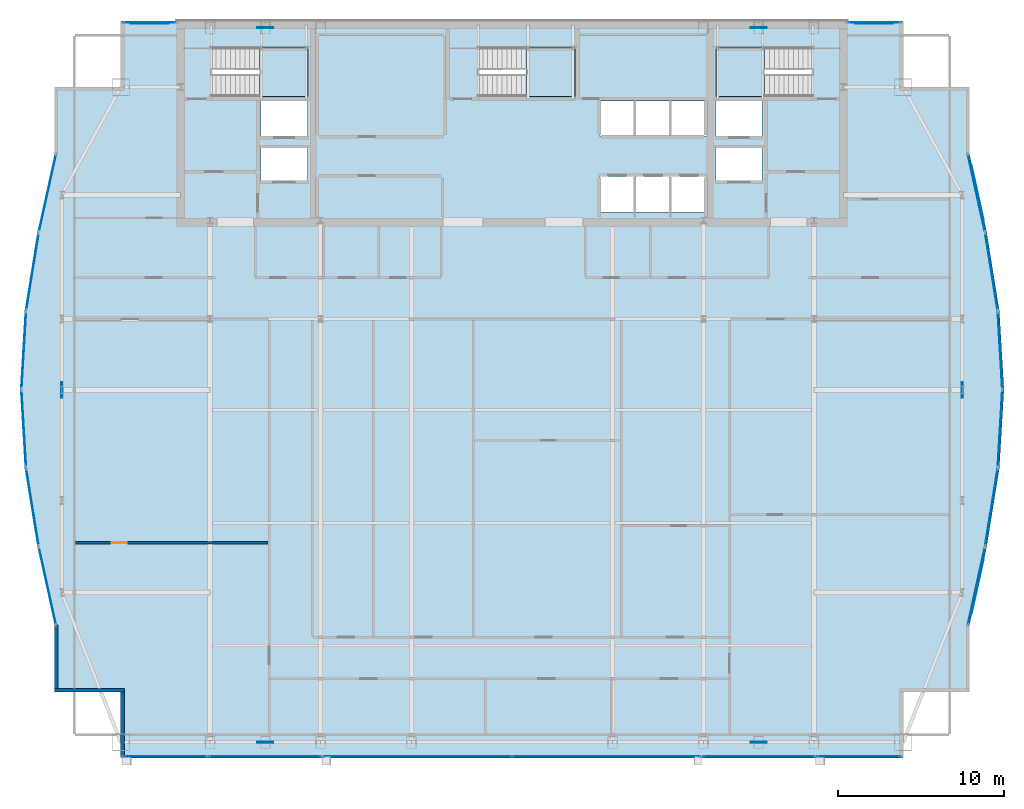
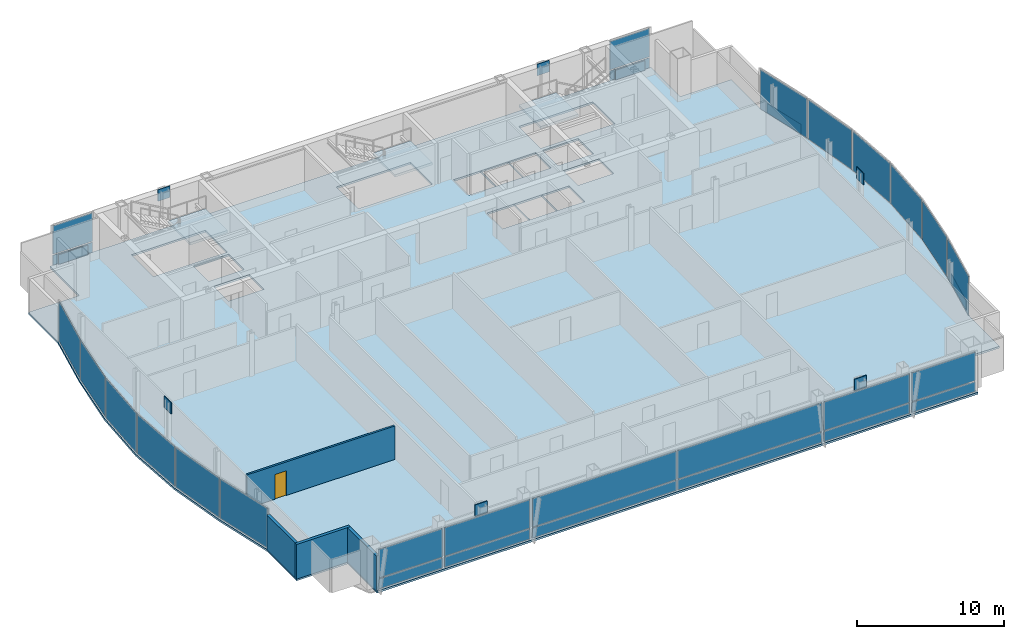
# One storey, part 24 of 30: 38 plates, 4 slabs, 4 walls, 1 door, 1 opening, 22 elements without a shape of their own.
"""IFC4 building model written with IfcOpenShell, lengths in metres."""

from ifc_helpers import new_model, si_unit, direction, frame, frame_2d, origin, origin_2d, place, context, subcontext, project, spatial, polyline, rectangle, outline, extrude, material, layer, layer_set, type_object, element, fill, aggregate, save


model = new_model("IFC4")

# Units and contexts
model_context = context("Model", 3, precision=1e-05, world=origin(), true_north=direction((0.0, 1.0)))
body_context = subcontext(model_context, "Body", "Model", "MODEL_VIEW")
ifc_project = project(units=[si_unit("LENGTHUNIT", "METRE"), si_unit("AREAUNIT", "SQUARE_METRE"), si_unit("VOLUMEUNIT", "CUBIC_METRE"), si_unit("PLANEANGLEUNIT", "RADIAN"), si_unit("MASSUNIT", "GRAM", prefix="KILO")], contexts=[model_context])

# Site, building, storey
site_placement = place(None, origin())
site = spatial("IfcSite", under=ifc_project, at=site_placement, CompositionType="ELEMENT")
building_placement = place(site_placement, origin())
building = spatial("IfcBuilding", under=site, at=building_placement, Name="Khoronbel Lancet Exchange", CompositionType="ELEMENT")
storey_placement = place(building_placement, frame((0.0, 0.0, 269.800048828125)))
storey = spatial("IfcBuildingStorey", under=building, at=storey_placement, Name="L69", CompositionType="ELEMENT", Elevation=269.800048828125)

# Curtain wall, plate
ifc_material_1 = material(Name="Low-E Solar Control Insulating Glass", Category="glass")
curtain_wall_type_1 = type_object("IfcCurtainWallType", Name="CW-4", PredefinedType="NOTDEFINED", material=ifc_material_1)
curtain_wall_1_placement = place(storey_placement, origin())
curtain_wall_1 = element("IfcCurtainWall", 1, at=curtain_wall_1_placement, inside=storey, type_object=curtain_wall_type_1, Name="Unitised curtain wall CW-L69-E05", PredefinedType="NOTDEFINED")
ifc_material_2 = material(Name="Bronze-Anodised Aluminium 6063-T6", Category="aluminium")
ifc_layer_1 = layer(ifc_material_2, 0.050048828125, Name="Bronze-Anodised Aluminium 6063-T6")
ifc_layer_set_1 = layer_set([ifc_layer_1], Name="Bronze-Anodised Aluminium 6063-T6")
plate_type_1 = type_object("IfcPlateType", Name="PLT-CSP1", PredefinedType="SHEET", material=ifc_layer_set_1)
plate_1_placement = place(storey_placement, frame((7.509033203125, 24.33837890625, 0.0849609375), z_axis=(0.0, 0.0, 1.0), x_axis=(-0.159276285246, 0.98723404771, 0.0)))
plate_1 = element("IfcPlate", 2, at=plate_1_placement, type_object=plate_type_1, Name="CW4 panel 1.1", PredefinedType="CURTAIN_PANEL", context=body_context, shape_type="SweptSolid", body=[
    extrude(rectangle(XDim=4.654296875, YDim=0.0380859375, at=origin_2d()), origin(), (0.0, 0.0, 1.0), 3.27001953125),
])
aggregate(curtain_wall_1, [plate_1])

curtain_wall_2_placement = place(storey_placement, origin())
curtain_wall_2 = element("IfcCurtainWall", 3, at=curtain_wall_2_placement, inside=storey, type_object=curtain_wall_type_1, Name="Unitised curtain wall CW-L69-E06", PredefinedType="NOTDEFINED")
plate_2_placement = place(storey_placement, frame((6.986328125, 29.079833984375, 0.0849609375), z_axis=(0.0, 0.0, 1.0), x_axis=(-0.058945468766, 0.99826120415, 0.0)))
plate_2 = element("IfcPlate", 4, at=plate_2_placement, type_object=plate_type_1, Name="CW4 panel 1.1", PredefinedType="CURTAIN_PANEL", context=body_context, shape_type="SweptSolid", body=[
    extrude(rectangle(XDim=4.598388671875, YDim=0.0380859375, at=origin_2d()), origin(), (0.0, 0.0, 1.0), 3.27001953125),
])
aggregate(curtain_wall_2, [plate_2])

curtain_wall_3_placement = place(storey_placement, origin())
curtain_wall_3 = element("IfcCurtainWall", 5, at=curtain_wall_3_placement, inside=storey, type_object=curtain_wall_type_1, Name="Unitised curtain wall CW-L69-E07", PredefinedType="NOTDEFINED")
plate_3_placement = place(storey_placement, frame((6.986328125, 33.820068359375, 0.0849609375), z_axis=(0.0, 0.0, 1.0), x_axis=(0.058945468766, 0.99826120415, 0.0)))
plate_3 = element("IfcPlate", 6, at=plate_3_placement, type_object=plate_type_1, Name="CW4 panel 1.1", PredefinedType="CURTAIN_PANEL", context=body_context, shape_type="SweptSolid", body=[
    extrude(rectangle(XDim=4.598388671875, YDim=0.0380859375, at=origin_2d()), origin(), (0.0, 0.0, 1.0), 3.27001953125),
])
aggregate(curtain_wall_3, [plate_3])

curtain_wall_4_placement = place(storey_placement, origin())
curtain_wall_4 = element("IfcCurtainWall", 7, at=curtain_wall_4_placement, inside=storey, type_object=curtain_wall_type_1, Name="Unitised curtain wall CW-L69-E08", PredefinedType="NOTDEFINED")
plate_4_placement = place(storey_placement, frame((7.509033203125, 38.561767578125, 0.0849609375), z_axis=(0.0, 0.0, 1.0), x_axis=(0.159276285246, 0.98723404771, 0.0)))
plate_4 = element("IfcPlate", 8, at=plate_4_placement, type_object=plate_type_1, Name="CW4 panel 1.1", PredefinedType="CURTAIN_PANEL", context=body_context, shape_type="SweptSolid", body=[
    extrude(rectangle(XDim=4.654296875, YDim=0.0380859375, at=origin_2d()), origin(), (0.0, 0.0, 1.0), 3.27001953125),
])
aggregate(curtain_wall_4, [plate_4])

curtain_wall_type_2 = type_object("IfcCurtainWallType", Name="CW-3", PredefinedType="NOTDEFINED", material=ifc_material_1)
curtain_wall_5_placement = place(storey_placement, origin())
curtain_wall_5 = element("IfcCurtainWall", 9, at=curtain_wall_5_placement, inside=storey, type_object=curtain_wall_type_2, Name="Unitised curtain wall CW-L69-NWFLK", PredefinedType="NOTDEFINED")
plate_5_placement = place(storey_placement, frame((14.580078125, 53.550048828125, 0.0498046875), z_axis=(0.0, 0.0, 1.0), x_axis=(-1.0, 0.0, 0.0)))
plate_5 = element("IfcPlate", 10, at=plate_5_placement, type_object=plate_type_1, Name="Insulated bronze spandrel cassette CW-L69-NWFLK", PredefinedType="SHEET", context=body_context, shape_type="SweptSolid", body=[
    extrude(rectangle(XDim=2.2958984375, YDim=0.050048828125, at=origin_2d()), origin(), (0.0, 0.0, 1.0), 0.800048828125),
])

curtain_wall_6_placement = place(storey_placement, origin())
curtain_wall_6 = element("IfcCurtainWall", 11, at=curtain_wall_6_placement, inside=storey, type_object=curtain_wall_type_2, Name="Unitised curtain wall CW-L69-NEFLK", PredefinedType="NOTDEFINED")
plate_6_placement = place(storey_placement, frame((58.320068359375, 53.550048828125, 0.0498046875), z_axis=(0.0, 0.0, 1.0), x_axis=(-1.0, 0.0, 0.0)))
plate_6 = element("IfcPlate", 12, at=plate_6_placement, type_object=plate_type_1, Name="Insulated bronze spandrel cassette CW-L69-NEFLK", PredefinedType="SHEET", context=body_context, shape_type="SweptSolid", body=[
    extrude(rectangle(XDim=2.2958984375, YDim=0.050048828125, at=origin_2d()), origin(), (0.0, 0.0, 1.0), 0.800048828125),
])

curtain_wall_7_placement = place(storey_placement, origin())
curtain_wall_7 = element("IfcCurtainWall", 13, at=curtain_wall_7_placement, inside=storey, type_object=curtain_wall_type_1, Name="Unitised curtain wall CW-L69-E17", PredefinedType="NOTDEFINED")
plate_7_placement = place(storey_placement, frame((64.542724609375, 43.32470703125, 0.0498046875), z_axis=(0.0, 0.0, 1.0), x_axis=(0.21522166446, -0.976565223192, 0.0)))
plate_7 = element("IfcPlate", 14, at=plate_7_placement, type_object=plate_type_1, Name="Insulated bronze spandrel cassette CW-L69-E17", PredefinedType="SHEET", context=body_context, shape_type="SweptSolid", body=[
    extrude(rectangle(XDim=3.409912109375, YDim=0.050048828125, at=origin_2d()), origin(), (0.0, 0.0, 1.0), 0.800048828125),
])

curtain_wall_8_placement = place(storey_placement, origin())
curtain_wall_8 = element("IfcCurtainWall", 15, at=curtain_wall_8_placement, inside=storey, type_object=curtain_wall_type_1, Name="Unitised curtain wall CW-L69-E18", PredefinedType="NOTDEFINED")
plate_8_placement = place(storey_placement, frame((65.39111328125, 38.561767578125, 0.0849609375), z_axis=(0.0, 0.0, 1.0), x_axis=(0.159276285246, -0.98723404771, 0.0)))
plate_8 = element("IfcPlate", 16, at=plate_8_placement, type_object=plate_type_1, Name="CW4 panel 1.1", PredefinedType="CURTAIN_PANEL", context=body_context, shape_type="SweptSolid", body=[
    extrude(rectangle(XDim=4.654296875, YDim=0.0380859375, at=origin_2d()), origin(), (0.0, 0.0, 1.0), 3.27001953125),
])
aggregate(curtain_wall_8, [plate_8])

curtain_wall_9_placement = place(storey_placement, origin())
curtain_wall_9 = element("IfcCurtainWall", 17, at=curtain_wall_9_placement, inside=storey, type_object=curtain_wall_type_1, Name="Unitised curtain wall CW-L69-E19", PredefinedType="NOTDEFINED")
plate_9_placement = place(storey_placement, frame((65.91357421875, 33.820068359375, 0.0849609375), z_axis=(0.0, 0.0, 1.0), x_axis=(0.058945468766, -0.99826120415, 0.0)))
plate_9 = element("IfcPlate", 18, at=plate_9_placement, type_object=plate_type_1, Name="CW4 panel 1.1", PredefinedType="CURTAIN_PANEL", context=body_context, shape_type="SweptSolid", body=[
    extrude(rectangle(XDim=4.598388671875, YDim=0.0380859375, at=origin_2d()), origin(), (0.0, 0.0, 1.0), 3.27001953125),
])
aggregate(curtain_wall_9, [plate_9])

curtain_wall_10_placement = place(storey_placement, origin())
curtain_wall_10 = element("IfcCurtainWall", 19, at=curtain_wall_10_placement, inside=storey, type_object=curtain_wall_type_1, Name="Unitised curtain wall CW-L69-E20", PredefinedType="NOTDEFINED")
plate_10_placement = place(storey_placement, frame((65.91357421875, 29.079833984375, 0.0849609375), z_axis=(0.0, 0.0, 1.0), x_axis=(-0.058945468766, -0.99826120415, 0.0)))
plate_10 = element("IfcPlate", 20, at=plate_10_placement, type_object=plate_type_1, Name="CW4 panel 1.1", PredefinedType="CURTAIN_PANEL", context=body_context, shape_type="SweptSolid", body=[
    extrude(rectangle(XDim=4.598388671875, YDim=0.0380859375, at=origin_2d()), origin(), (0.0, 0.0, 1.0), 3.27001953125),
])
aggregate(curtain_wall_10, [plate_10])

curtain_wall_11_placement = place(storey_placement, origin())
curtain_wall_11 = element("IfcCurtainWall", 21, at=curtain_wall_11_placement, inside=storey, type_object=curtain_wall_type_1, Name="Unitised curtain wall CW-L69-E21", PredefinedType="NOTDEFINED")
plate_11_placement = place(storey_placement, frame((65.39111328125, 24.33837890625, 0.0849609375), z_axis=(0.0, 0.0, 1.0), x_axis=(-0.159276285246, -0.98723404771, 0.0)))
plate_11 = element("IfcPlate", 22, at=plate_11_placement, type_object=plate_type_1, Name="CW4 panel 1.1", PredefinedType="CURTAIN_PANEL", context=body_context, shape_type="SweptSolid", body=[
    extrude(rectangle(XDim=4.654296875, YDim=0.0380859375, at=origin_2d()), origin(), (0.0, 0.0, 1.0), 3.27001953125),
])
aggregate(curtain_wall_11, [plate_11])

curtain_wall_12_placement = place(storey_placement, origin())
curtain_wall_12 = element("IfcCurtainWall", 23, at=curtain_wall_12_placement, inside=storey, type_object=curtain_wall_type_1, Name="Unitised curtain wall CW-L69-E22", PredefinedType="NOTDEFINED")
plate_12_placement = place(storey_placement, frame((64.542724609375, 19.575439453125, 0.0498046875), z_axis=(0.0, 0.0, 1.0), x_axis=(-0.21522166446, -0.976565223192, 0.0)))
plate_12 = element("IfcPlate", 24, at=plate_12_placement, type_object=plate_type_1, Name="Insulated bronze spandrel cassette CW-L69-E22", PredefinedType="SHEET", context=body_context, shape_type="SweptSolid", body=[
    extrude(rectangle(XDim=3.409912109375, YDim=0.050048828125, at=origin_2d()), origin(), (0.0, 0.0, 1.0), 0.800048828125),
])

# Curtain wall, plates
curtain_wall_13_placement = place(storey_placement, origin())
curtain_wall_13 = element("IfcCurtainWall", 25, at=curtain_wall_13_placement, inside=storey, type_object=curtain_wall_type_2, Name="Unitised curtain wall CW-L69-SWB", PredefinedType="NOTDEFINED")
plate_13_placement = place(storey_placement, frame((21.550048828125, 9.2900390625, 0.0849609375), z_axis=(0.0, 0.0, 1.0), x_axis=(1.0, 0.0, 0.0)))
plate_13 = element("IfcPlate", 26, at=plate_13_placement, type_object=plate_type_1, Name="CW3 panel 1.1", PredefinedType="CURTAIN_PANEL", context=body_context, shape_type="SweptSolid", body=[
    extrude(rectangle(XDim=6.72998046875, YDim=0.0380859375, at=origin_2d()), origin(), (0.0, 0.0, 1.0), 0.822509765625),
])
plate_14_placement = place(storey_placement, frame((21.550048828125, 9.2900390625, 0.9921875), z_axis=(0.0, 0.0, 1.0), x_axis=(1.0, 0.0, 0.0)))
plate_14 = element("IfcPlate", 27, at=plate_14_placement, type_object=plate_type_1, Name="CW3 panel 1.2", PredefinedType="CURTAIN_PANEL", context=body_context, shape_type="SweptSolid", body=[
    extrude(rectangle(XDim=6.72998046875, YDim=0.0380859375, at=origin_2d()), origin(), (0.0, 0.0, 1.0), 2.362548828125),
])
aggregate(curtain_wall_13, [plate_13, plate_14])

curtain_wall_14_placement = place(storey_placement, origin())
curtain_wall_14 = element("IfcCurtainWall", 28, at=curtain_wall_14_placement, inside=storey, type_object=curtain_wall_type_2, Name="Unitised curtain wall CW-L69-SEB", PredefinedType="NOTDEFINED")
plate_15_placement = place(storey_placement, frame((51.35009765625, 9.2900390625, 0.0849609375), z_axis=(0.0, 0.0, 1.0), x_axis=(1.0, 0.0, 0.0)))
plate_15 = element("IfcPlate", 29, at=plate_15_placement, type_object=plate_type_1, Name="CW3 panel 1.1", PredefinedType="CURTAIN_PANEL", context=body_context, shape_type="SweptSolid", body=[
    extrude(rectangle(XDim=6.72998046875, YDim=0.0380859375, at=origin_2d()), origin(), (0.0, 0.0, 1.0), 0.822509765625),
])
plate_16_placement = place(storey_placement, frame((51.35009765625, 9.2900390625, 0.9921875), z_axis=(0.0, 0.0, 1.0), x_axis=(1.0, 0.0, 0.0)))
plate_16 = element("IfcPlate", 30, at=plate_16_placement, type_object=plate_type_1, Name="CW3 panel 1.2", PredefinedType="CURTAIN_PANEL", context=body_context, shape_type="SweptSolid", body=[
    extrude(rectangle(XDim=6.72998046875, YDim=0.0380859375, at=origin_2d()), origin(), (0.0, 0.0, 1.0), 2.362548828125),
])
aggregate(curtain_wall_14, [plate_15, plate_16])

# Plate
ifc_layer_2 = layer(ifc_material_1, 0.035888671875, Name="Low-E Solar Control Insulating Glass")
ifc_layer_set_2 = layer_set([ifc_layer_2], Name="Low-E Solar Control Insulating Glass")
plate_type_2 = type_object("IfcPlateType", Name="PLT-CWP1", PredefinedType="CURTAIN_PANEL", material=ifc_layer_set_2)
plate_17_placement = place(storey_placement, frame((14.580078125, 53.610107421875, 0.0849609375), z_axis=(0.0, 0.0, 1.0), x_axis=(-1.0, 0.0, 0.0)))
plate_17 = element("IfcPlate", 31, at=plate_17_placement, type_object=plate_type_2, Name="CW3 panel 1.1", PredefinedType="CURTAIN_PANEL", context=body_context, shape_type="SweptSolid", body=[
    extrude(rectangle(XDim=3.110107421875, YDim=0.0380859375, at=origin_2d()), origin(), (0.0, 0.0, 1.0), 0.822509765625),
])

plate_18_placement = place(storey_placement, frame((14.580078125, 53.610107421875, 0.9921875), z_axis=(0.0, 0.0, 1.0), x_axis=(-1.0, 0.0, 0.0)))
plate_18 = element("IfcPlate", 32, at=plate_18_placement, type_object=plate_type_2, Name="CW3 panel 1.2", PredefinedType="CURTAIN_PANEL", context=body_context, shape_type="SweptSolid", body=[
    extrude(rectangle(XDim=3.110107421875, YDim=0.0380859375, at=origin_2d()), origin(), (0.0, 0.0, 1.0), 2.362548828125),
])

aggregate(curtain_wall_5, [plate_17, plate_18, plate_5])

plate_19_placement = place(storey_placement, frame((58.320068359375, 53.610107421875, 0.0849609375), z_axis=(0.0, 0.0, 1.0), x_axis=(-1.0, 0.0, 0.0)))
plate_19 = element("IfcPlate", 33, at=plate_19_placement, type_object=plate_type_2, Name="CW3 panel 1.1", PredefinedType="CURTAIN_PANEL", context=body_context, shape_type="SweptSolid", body=[
    extrude(rectangle(XDim=3.110107421875, YDim=0.0380859375, at=origin_2d()), origin(), (0.0, 0.0, 1.0), 0.822509765625),
])

plate_20_placement = place(storey_placement, frame((58.320068359375, 53.610107421875, 0.9921875), z_axis=(0.0, 0.0, 1.0), x_axis=(-1.0, 0.0, 0.0)))
plate_20 = element("IfcPlate", 34, at=plate_20_placement, type_object=plate_type_2, Name="CW3 panel 1.2", PredefinedType="CURTAIN_PANEL", context=body_context, shape_type="SweptSolid", body=[
    extrude(rectangle(XDim=3.110107421875, YDim=0.0380859375, at=origin_2d()), origin(), (0.0, 0.0, 1.0), 2.362548828125),
])

aggregate(curtain_wall_6, [plate_19, plate_20, plate_6])

# Curtain wall, plates
curtain_wall_15_placement = place(storey_placement, origin())
curtain_wall_15 = element("IfcCurtainWall", 35, at=curtain_wall_15_placement, inside=storey, type_object=curtain_wall_type_2, Name="Unitised curtain wall CW-L69-SWV", PredefinedType="NOTDEFINED")
plate_21_placement = place(storey_placement, frame((15.52001953125, 9.2900390625, 0.0849609375), z_axis=(0.0, 0.0, 1.0), x_axis=(1.0, 0.0, 0.0)))
plate_21 = element("IfcPlate", 36, at=plate_21_placement, type_object=plate_type_2, Name="CW3 panel 1.1", PredefinedType="CURTAIN_PANEL", context=body_context, shape_type="SweptSolid", body=[
    extrude(rectangle(XDim=4.989990234375, YDim=0.0380859375, at=origin_2d()), origin(), (0.0, 0.0, 1.0), 0.822509765625),
])
plate_22_placement = place(storey_placement, frame((15.52001953125, 9.2900390625, 0.9921875), z_axis=(0.0, 0.0, 1.0), x_axis=(1.0, 0.0, 0.0)))
plate_22 = element("IfcPlate", 37, at=plate_22_placement, type_object=plate_type_2, Name="CW3 panel 1.2", PredefinedType="CURTAIN_PANEL", context=body_context, shape_type="SweptSolid", body=[
    extrude(rectangle(XDim=4.989990234375, YDim=0.0380859375, at=origin_2d()), origin(), (0.0, 0.0, 1.0), 2.362548828125),
])
aggregate(curtain_wall_15, [plate_21, plate_22])

curtain_wall_16_placement = place(storey_placement, origin())
curtain_wall_16 = element("IfcCurtainWall", 38, at=curtain_wall_16_placement, inside=storey, type_object=curtain_wall_type_2, Name="Unitised curtain wall CW-L69-SCV", PredefinedType="NOTDEFINED")
plate_23_placement = place(storey_placement, frame((30.746337890625, 9.2900390625, 0.0849609375), z_axis=(0.0, 0.0, 1.0), x_axis=(1.0, 0.0, 0.0)))
plate_23 = element("IfcPlate", 39, at=plate_23_placement, type_object=plate_type_2, Name="CW3 panel 1.1", PredefinedType="CURTAIN_PANEL", context=body_context, shape_type="SweptSolid", body=[
    extrude(rectangle(XDim=11.322509765625, YDim=0.0380859375, at=origin_2d()), origin(), (0.0, 0.0, 1.0), 0.822509765625),
])
plate_24_placement = place(storey_placement, frame((30.746337890625, 9.2900390625, 0.9921875), z_axis=(0.0, 0.0, 1.0), x_axis=(1.0, 0.0, 0.0)))
plate_24 = element("IfcPlate", 40, at=plate_24_placement, type_object=plate_type_2, Name="CW3 panel 1.2", PredefinedType="CURTAIN_PANEL", context=body_context, shape_type="SweptSolid", body=[
    extrude(rectangle(XDim=11.322509765625, YDim=0.0380859375, at=origin_2d()), origin(), (0.0, 0.0, 1.0), 2.362548828125),
])
plate_25_placement = place(storey_placement, frame((42.15380859375, 9.2900390625, 0.0849609375), z_axis=(0.0, 0.0, 1.0), x_axis=(1.0, 0.0, 0.0)))
plate_25 = element("IfcPlate", 41, at=plate_25_placement, type_object=plate_type_2, Name="CW3 panel 2.1", PredefinedType="CURTAIN_PANEL", context=body_context, shape_type="SweptSolid", body=[
    extrude(rectangle(XDim=11.322509765625, YDim=0.0380859375, at=origin_2d()), origin(), (0.0, 0.0, 1.0), 0.822509765625),
])
plate_26_placement = place(storey_placement, frame((42.15380859375, 9.2900390625, 0.9921875), z_axis=(0.0, 0.0, 1.0), x_axis=(1.0, 0.0, 0.0)))
plate_26 = element("IfcPlate", 42, at=plate_26_placement, type_object=plate_type_2, Name="CW3 panel 2.2", PredefinedType="CURTAIN_PANEL", context=body_context, shape_type="SweptSolid", body=[
    extrude(rectangle(XDim=11.322509765625, YDim=0.0380859375, at=origin_2d()), origin(), (0.0, 0.0, 1.0), 2.362548828125),
])
aggregate(curtain_wall_16, [plate_23, plate_24, plate_25, plate_26])

curtain_wall_17_placement = place(storey_placement, origin())
curtain_wall_17 = element("IfcCurtainWall", 43, at=curtain_wall_17_placement, inside=storey, type_object=curtain_wall_type_2, Name="Unitised curtain wall CW-L69-SEV", PredefinedType="NOTDEFINED")
plate_27_placement = place(storey_placement, frame((57.3798828125, 9.2900390625, 0.0849609375), z_axis=(0.0, 0.0, 1.0), x_axis=(1.0, 0.0, 0.0)))
plate_27 = element("IfcPlate", 44, at=plate_27_placement, type_object=plate_type_2, Name="CW3 panel 1.1", PredefinedType="CURTAIN_PANEL", context=body_context, shape_type="SweptSolid", body=[
    extrude(rectangle(XDim=4.989990234375, YDim=0.0380859375, at=origin_2d()), origin(), (0.0, 0.0, 1.0), 0.822509765625),
])
plate_28_placement = place(storey_placement, frame((57.3798828125, 9.2900390625, 0.9921875), z_axis=(0.0, 0.0, 1.0), x_axis=(1.0, 0.0, 0.0)))
plate_28 = element("IfcPlate", 45, at=plate_28_placement, type_object=plate_type_2, Name="CW3 panel 1.2", PredefinedType="CURTAIN_PANEL", context=body_context, shape_type="SweptSolid", body=[
    extrude(rectangle(XDim=4.989990234375, YDim=0.0380859375, at=origin_2d()), origin(), (0.0, 0.0, 1.0), 2.362548828125),
])
aggregate(curtain_wall_17, [plate_27, plate_28])

# Curtain wall, plate
curtain_wall_18_placement = place(storey_placement, origin())
curtain_wall_18 = element("IfcCurtainWall", 46, at=curtain_wall_18_placement, inside=storey, type_object=curtain_wall_type_1, Name="Unitised curtain wall CW-L69-E04", PredefinedType="NOTDEFINED")
ifc_material_3 = material(Name="Ceramic-Fritted Laminated Insulating Glass", Category="glass")
ifc_layer_3 = layer(ifc_material_3, 0.0419921875, Name="Ceramic-Fritted Laminated Insulating Glass")
ifc_layer_set_3 = layer_set([ifc_layer_3], Name="Ceramic-Fritted Laminated Insulating Glass")
plate_type_3 = type_object("IfcPlateType", Name="PLT-CWP2", PredefinedType="CURTAIN_PANEL", material=ifc_layer_set_3)
plate_29_placement = place(storey_placement, frame((8.415771484375, 19.58837890625, 0.0849609375), z_axis=(0.0, 0.0, 1.0), x_axis=(-0.21522166446, 0.976565223192, 0.0)))
plate_29 = element("IfcPlate", 47, at=plate_29_placement, type_object=plate_type_3, Name="CW4 panel 1.1", PredefinedType="CURTAIN_PANEL", context=body_context, shape_type="SweptSolid", body=[
    extrude(rectangle(XDim=4.72119140625, YDim=0.0380859375, at=origin_2d()), origin(), (0.0, 0.0, 1.0), 3.27001953125),
])
aggregate(curtain_wall_18, [plate_29])

curtain_wall_19_placement = place(storey_placement, origin())
curtain_wall_19 = element("IfcCurtainWall", 48, at=curtain_wall_19_placement, inside=storey, type_object=curtain_wall_type_1, Name="Unitised curtain wall CW-L69-E09", PredefinedType="NOTDEFINED")
plate_30_placement = place(storey_placement, frame((8.415771484375, 43.311767578125, 0.0849609375), z_axis=(0.0, 0.0, 1.0), x_axis=(0.21522166446, 0.976565223192, 0.0)))
plate_30 = element("IfcPlate", 49, at=plate_30_placement, type_object=plate_type_3, Name="CW4 panel 1.1", PredefinedType="CURTAIN_PANEL", context=body_context, shape_type="SweptSolid", body=[
    extrude(rectangle(XDim=4.72119140625, YDim=0.0380859375, at=origin_2d()), origin(), (0.0, 0.0, 1.0), 3.27001953125),
])
aggregate(curtain_wall_19, [plate_30])

# Plate
plate_31_placement = place(storey_placement, frame((64.484130859375, 43.311767578125, 0.0849609375), z_axis=(0.0, 0.0, 1.0), x_axis=(0.21522166446, -0.976565223192, 0.0)))
plate_31 = element("IfcPlate", 50, at=plate_31_placement, type_object=plate_type_3, Name="CW4 panel 1.1", PredefinedType="CURTAIN_PANEL", context=body_context, shape_type="SweptSolid", body=[
    extrude(rectangle(XDim=4.72119140625, YDim=0.0380859375, at=origin_2d()), origin(), (0.0, 0.0, 1.0), 3.27001953125),
])

aggregate(curtain_wall_7, [plate_31, plate_7])

plate_32_placement = place(storey_placement, frame((64.484130859375, 19.58837890625, 0.0849609375), z_axis=(0.0, 0.0, 1.0), x_axis=(-0.21522166446, -0.976565223192, 0.0)))
plate_32 = element("IfcPlate", 51, at=plate_32_placement, type_object=plate_type_3, Name="CW4 panel 1.1", PredefinedType="CURTAIN_PANEL", context=body_context, shape_type="SweptSolid", body=[
    extrude(rectangle(XDim=4.72119140625, YDim=0.0380859375, at=origin_2d()), origin(), (0.0, 0.0, 1.0), 3.27001953125),
])

aggregate(curtain_wall_12, [plate_32, plate_12])

# Plates
ifc_material_4 = material(Name="Steel S460", Category="steel")
ifc_layer_4 = layer(ifc_material_4, 0.06005859375, Name="Steel S460")
ifc_layer_set_4 = layer_set([ifc_layer_4], Name="Steel S460")
plate_type_4 = type_object("IfcPlateType", Name="PLT-ND3", PredefinedType="USERDEFINED", material=ifc_layer_set_4)
for number, where, z_axis, x_axis, name in (
    (52, (21.5625, 10.14990234375, 2.77490234375), (0.0, 0.0, 1.0), (1.0, 0.0, 0.0), "ND3 perimeter brace node gusset T23-S-W"),
    (53, (51.33740234375, 10.14990234375, 2.77490234375), (0.0, 0.0, 1.0), (1.0, 0.0, 0.0), "ND3 perimeter brace node gusset T23-S-E"),
    (54, (21.5625, 53.280029296875, 2.77490234375), (0.0, 0.0, 1.0), (1.0, 0.0, 0.0), "ND3 perimeter brace node gusset T23-N-W"),
    (55, (51.33740234375, 53.280029296875, 2.77490234375), (0.0, 0.0, 1.0), (1.0, 0.0, 0.0), "ND3 perimeter brace node gusset T23-N-E"),
    (56, (9.27001953125, 31.425048828125, 2.77490234375), (0.0, 0.0, 1.0), (0.0, 1.0, 0.0), "ND3 perimeter brace node gusset T23-W-P"),
    (57, (63.6298828125, 31.425048828125, 2.77490234375), (0.0, 0.0, 1.0), (0.0, 1.0, 0.0), "ND3 perimeter brace node gusset T23-E-P"),
):
    element("IfcPlate", number, at=place(storey_placement, frame(where, z_axis=z_axis, x_axis=x_axis)), inside=storey, type_object=plate_type_4, Name=name, ObjectType="GUSSET_PLATE", PredefinedType="USERDEFINED", context=body_context, shape_type="SweptSolid", body=[
        extrude(rectangle(XDim=0.949951171875, YDim=0.06005859375, at=origin_2d()), origin(), (0.0, 0.0, 1.0), 0.949951171875),
    ])

# Slab
ifc_material_5 = material(Name="Concrete C40/50", Category="concrete")
ifc_layer_5 = layer(ifc_material_5, 0.159912109375, Name="Concrete C40/50")
ifc_layer_set_5 = layer_set([ifc_layer_5], Name="Concrete C40/50")
slab_type_1 = type_object("IfcSlabType", Name="SL-FL160", PredefinedType="FLOOR", material=ifc_layer_set_5)
slab_1_placement = place(storey_placement, frame((0.0, 0.0, -0.16015625)))
element("IfcSlab", 58, at=slab_1_placement, inside=storey, type_object=slab_type_1, Name="Level L69 composite structural floor slab", PredefinedType="FLOOR", context=body_context, shape_type="SweptSolid", body=[
    extrude(outline(polyline([(12.85009765625, 9.199951171875), (60.050048828125, 9.199951171875), (60.050048828125, 13.199951171875), (64.050048828125, 13.199951171875), (64.050048828125, 17.199951171875), (65.0966796875, 21.949951171875), (65.86328125, 26.699951171875), (66.143798828125, 31.449951171875), (65.86328125, 36.199951171875), (65.0966796875, 40.949951171875), (64.050048828125, 45.699951171875), (64.050048828125, 49.699951171875), (60.050048828125, 49.699951171875), (60.050048828125, 53.699951171875), (12.85009765625, 53.699951171875), (12.85009765625, 49.699951171875), (8.85009765625, 49.699951171875), (8.85009765625, 45.699951171875), (7.80322265625, 40.949951171875), (7.036865234375, 36.199951171875), (6.75634765625, 31.449951171875), (7.036865234375, 26.699951171875), (7.80322265625, 21.949951171875), (8.85009765625, 17.199951171875), (8.85009765625, 13.199951171875), (12.85009765625, 13.199951171875), (12.85009765625, 9.199951171875)]), holes=[polyline([(18.324951171875, 49.1201171875), (24.14990234375, 49.1201171875), (24.14990234375, 52.10009765625), (18.324951171875, 52.10009765625), (18.324951171875, 49.1201171875)]), polyline([(48.75, 49.1201171875), (54.574951171875, 49.1201171875), (54.574951171875, 52.10009765625), (48.75, 52.10009765625), (48.75, 49.1201171875)]), polyline([(34.425048828125, 49.1201171875), (40.25, 49.1201171875), (40.25, 52.10009765625), (34.425048828125, 52.10009765625), (34.425048828125, 49.1201171875)]), polyline([(41.739990234375, 46.75), (43.8798828125, 46.75), (43.8798828125, 48.85009765625), (41.739990234375, 48.85009765625), (41.739990234375, 46.75)]), polyline([(43.89990234375, 46.75), (46.0400390625, 46.75), (46.0400390625, 48.85009765625), (43.89990234375, 48.85009765625), (43.89990234375, 46.75)]), polyline([(46.06005859375, 46.75), (48.199951171875, 46.75), (48.199951171875, 48.85009765625), (46.06005859375, 48.85009765625), (46.06005859375, 46.75)]), polyline([(41.739990234375, 42.14990234375), (43.8798828125, 42.14990234375), (43.8798828125, 44.300048828125), (41.739990234375, 44.300048828125), (41.739990234375, 42.14990234375)]), polyline([(43.89990234375, 42.14990234375), (46.0400390625, 42.14990234375), (46.0400390625, 44.300048828125), (43.89990234375, 44.300048828125), (43.89990234375, 42.14990234375)]), polyline([(46.06005859375, 42.14990234375), (48.199951171875, 42.14990234375), (48.199951171875, 44.300048828125), (46.06005859375, 44.300048828125), (46.06005859375, 42.14990234375)]), polyline([(21.300048828125, 46.75), (24.10009765625, 46.75), (24.10009765625, 48.85009765625), (21.300048828125, 48.85009765625), (21.300048828125, 46.75)]), polyline([(48.75, 46.75), (51.550048828125, 46.75), (51.550048828125, 48.85009765625), (48.75, 48.85009765625), (48.75, 46.75)]), polyline([(21.300048828125, 44.050048828125), (24.10009765625, 44.050048828125), (24.10009765625, 46.050048828125), (21.300048828125, 46.050048828125), (21.300048828125, 44.050048828125)]), polyline([(48.75, 44.050048828125), (51.550048828125, 44.050048828125), (51.550048828125, 46.050048828125), (48.75, 46.050048828125), (48.75, 44.050048828125)])]), origin(), (0.0, 0.0, 1.0), 0.16015625),
])

# Stair, slab
stair_type = type_object("IfcStairType", Name="STR-CORE150", PredefinedType="HALF_TURN_STAIR", material=ifc_material_5)
stair_1_placement = place(storey_placement, origin())
stair_1 = element("IfcStair", 59, at=stair_1_placement, inside=storey, type_object=stair_type, Name="L69 Protected Exit Stair ST1", PredefinedType="HALF_TURN_STAIR")
ifc_layer_6 = layer(ifc_material_5, 0.199951171875, Name="Concrete C40/50")
ifc_layer_set_6 = layer_set([ifc_layer_6], Name="Concrete C40/50")
slab_type_2 = type_object("IfcSlabType", Name="SL-LND180", PredefinedType="LANDING", material=ifc_layer_set_6)
slab_2_placement = place(storey_placement, frame((0.0, 0.0, 1.599853515625)))
slab_2 = element("IfcSlab", 60, at=slab_2_placement, type_object=slab_type_2, Name="ST1 landing 1", PredefinedType="LANDING", context=body_context, shape_type="SweptSolid", body=[
    extrude(outline(polyline([(21.199951171875, 49.1201171875), (24.14990234375, 49.1201171875), (24.14990234375, 52.10009765625), (21.199951171875, 52.10009765625), (21.199951171875, 49.1201171875)])), origin(), (0.0, 0.0, 1.0), 0.2001953125),
])
aggregate(stair_1, [slab_2])

stair_2_placement = place(storey_placement, origin())
stair_2 = element("IfcStair", 61, at=stair_2_placement, inside=storey, type_object=stair_type, Name="L69 Protected Exit Stair ST2", PredefinedType="HALF_TURN_STAIR")
slab_3_placement = place(storey_placement, frame((0.0, 0.0, 1.599853515625)))
slab_3 = element("IfcSlab", 62, at=slab_3_placement, type_object=slab_type_2, Name="ST2 landing 1", PredefinedType="LANDING", context=body_context, shape_type="SweptSolid", body=[
    extrude(outline(polyline([(51.699951171875, 52.10009765625), (48.75, 52.10009765625), (48.75, 49.1201171875), (51.699951171875, 49.1201171875), (51.699951171875, 52.10009765625)])), origin(), (0.0, 0.0, 1.0), 0.2001953125),
])
aggregate(stair_2, [slab_3])

stair_3_placement = place(storey_placement, origin())
stair_3 = element("IfcStair", 63, at=stair_3_placement, inside=storey, type_object=stair_type, Name="L69 Protected Exit Stair ST3", PredefinedType="HALF_TURN_STAIR")
slab_4_placement = place(storey_placement, frame((0.0, 0.0, 1.599853515625)))
slab_4 = element("IfcSlab", 64, at=slab_4_placement, type_object=slab_type_2, Name="ST3 landing 1", PredefinedType="LANDING", context=body_context, shape_type="SweptSolid", body=[
    extrude(outline(polyline([(37.300048828125, 49.1201171875), (40.25, 49.1201171875), (40.25, 52.10009765625), (37.300048828125, 52.10009765625), (37.300048828125, 49.1201171875)])), origin(), (0.0, 0.0, 1.0), 0.2001953125),
])
aggregate(stair_3, [slab_4])

# Walls
ifc_material_6 = material(Name="Precast concrete C40/50", Category="concrete")
ifc_layer_7 = layer(ifc_material_6, 0.25, Name="Precast concrete C40/50")
ifc_layer_set_7 = layer_set([ifc_layer_7], Name="Precast concrete C40/50")
wall_type_1 = type_object("IfcWallType", Name="WL-EXT250", PredefinedType="SOLIDWALL", material=ifc_layer_set_7)
wall_1_placement = place(storey_placement, frame((12.93994140625, 9.27001953125, 0.0), z_axis=(0.0, 0.0, 1.0), x_axis=(0.0, 1.0, 0.0)))
element("IfcWall", 65, at=wall_1_placement, inside=storey, type_object=wall_type_1, Name="Level L69 notched-corner limestone pier 01", PredefinedType="SOLIDWALL", context=body_context, shape_type="SweptSolid", body=[
    extrude(rectangle(XDim=3.909912109375, YDim=0.219970703125, at=frame_2d((1.955078125, 0.0))), origin(), (0.0, 0.0, 1.0), 2.8798828125),
])
wall_2_placement = place(storey_placement, frame((13.050048828125, 13.2900390625, 0.0), z_axis=(0.0, 0.0, 1.0), x_axis=(-1.0, 0.0, 0.0)))
element("IfcWall", 66, at=wall_2_placement, inside=storey, type_object=wall_type_1, Name="Level L69 notched-corner limestone pier 02", PredefinedType="SOLIDWALL", context=body_context, shape_type="SweptSolid", body=[
    extrude(rectangle(XDim=4.219970703125, YDim=0.219970703125, at=frame_2d((2.10986328125, 0.0))), origin(), (0.0, 0.0, 1.0), 2.8798828125),
])
wall_3_placement = place(storey_placement, frame((8.93994140625, 13.39990234375, 0.0), z_axis=(0.0, 0.0, 1.0), x_axis=(0.0, 1.0, 0.0)))
element("IfcWall", 67, at=wall_3_placement, inside=storey, type_object=wall_type_1, Name="Level L69 notched-corner limestone pier 03", PredefinedType="SOLIDWALL", context=body_context, shape_type="SweptSolid", body=[
    extrude(rectangle(XDim=3.829833984375, YDim=0.219970703125, at=frame_2d((1.9150390625, 0.0))), origin(), (0.0, 0.0, 1.0), 2.8798828125),
])

# Wall, opening, door
ifc_material_7 = material(Name="Acoustic Metal-Stud & Mineral-Wool Gypsum Partition 120 mm", Category="gypsum")
ifc_layer_8 = layer(ifc_material_7, 0.1201171875, Name="Acoustic Metal-Stud & Mineral-Wool Gypsum Partition 120 mm")
ifc_layer_set_8 = layer_set([ifc_layer_8], Name="Acoustic Metal-Stud & Mineral-Wool Gypsum Partition 120 mm")
wall_type_2 = type_object("IfcWallType", Name="WL-PRT120", PredefinedType="PARTITIONING", material=ifc_layer_set_8)
wall_4_placement = place(storey_placement, frame((10.094970703125, 22.199951171875, 0.0), z_axis=(0.0, 0.0, 1.0), x_axis=(1.0, 0.0, 0.0)))
wall_4 = element("IfcWall", 68, at=wall_4_placement, inside=storey, type_object=wall_type_2, Name="Level L69 interior partition PW-Z4-WH", PredefinedType="PARTITIONING", context=body_context, shape_type="SweptSolid", body=[
    extrude(rectangle(XDim=11.625, YDim=0.14990234375, at=frame_2d((5.8125, 0.0))), origin(), (0.0, 0.0, 1.0), 2.780029296875),
])
opening_placement = place(wall_4_placement, frame((2.199951171875, 0.0, 0.0)))
opening = element("IfcOpeningElement", 69, at=opening_placement, cuts=wall_4, Name="Opening D5", PredefinedType="OPENING", context=body_context, shape_type="SweptSolid", body=[
    extrude(rectangle(XDim=0.89990234375, YDim=2.050048828125, at=frame_2d((0.449951171875, 1.02490234375))), frame((0.0, 0.0849609375, 0.0), z_axis=(0.0, -1.0, 0.0), x_axis=(1.0, 0.0, 0.0)), (0.0, 0.0, 1.0), 0.169921875),
])
ifc_material_8 = material(Name="Acoustic Timber Pantry & Support Door", Category="wood")
door_type = type_object("IfcDoorType", Name="DR-D5", OperationType="NOTDEFINED", PredefinedType="DOOR", material=ifc_material_8)
door_placement = place(opening_placement, origin())
door = element("IfcDoor", 70, at=door_placement, inside=storey, type_object=door_type, Name="West lens inner door L69-1", OperationType="SINGLE_SWING_LEFT", OverallHeight=2.050048828125, OverallWidth=0.89990234375, PredefinedType="DOOR", context=body_context, shape_type="SweptSolid", body=[
    extrude(rectangle(XDim=0.89990234375, YDim=2.050048828125, at=frame_2d((0.449951171875, 1.02490234375))), frame((0.0, 0.02490234375, 0.0), z_axis=(0.0, -1.0, 0.0), x_axis=(1.0, 0.0, 0.0)), (0.0, 0.0, 1.0), 0.050048828125),
])
fill(opening, door)

save(model, "model.ifc")
